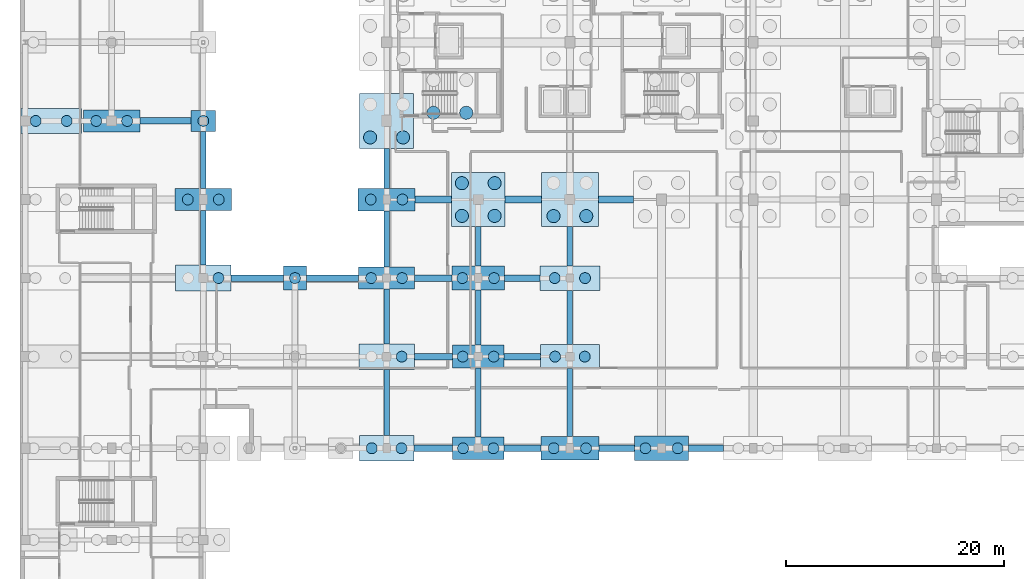
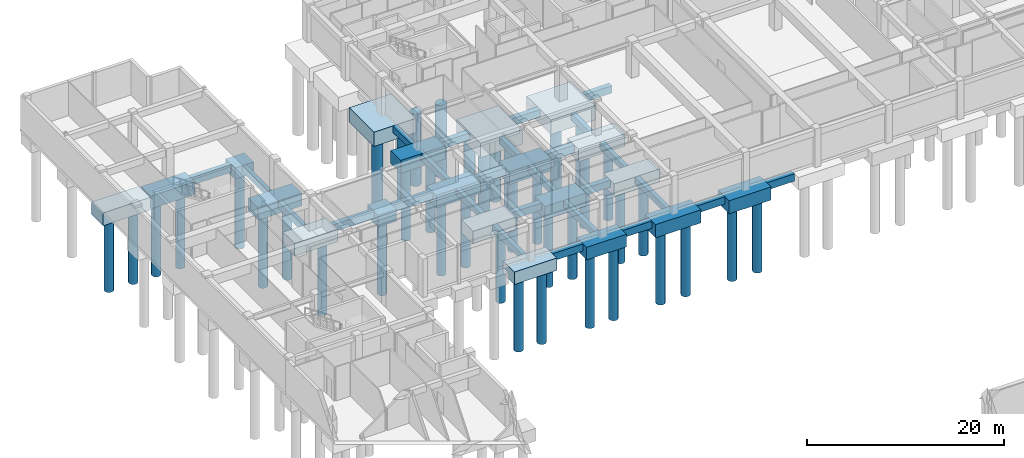
# One storey, part 4 of 42: 46 footings, 40 piles.
"""IFC4 building model written with IfcOpenShell, lengths in metres."""

from ifc_helpers import new_model, si_unit, direction, frame, origin, origin_2d, place, context, subcontext, project, spatial, rectangle, circle, extrude, material, material_profile, profile_set, type_object, element, save


model = new_model("IFC4")

# Units and contexts
model_context = context("Model", 3, precision=1e-05, world=origin(), true_north=direction((0.0, 1.0)))
body_context = subcontext(model_context, "Body", "Model", "MODEL_VIEW")
ifc_project = project(units=[si_unit("LENGTHUNIT", "METRE"), si_unit("AREAUNIT", "SQUARE_METRE"), si_unit("VOLUMEUNIT", "CUBIC_METRE"), si_unit("PLANEANGLEUNIT", "RADIAN"), si_unit("MASSUNIT", "GRAM", prefix="KILO")], contexts=[model_context])

# Site, building, storey
site_placement = place(None, origin())
site = spatial("IfcSite", under=ifc_project, at=site_placement, CompositionType="ELEMENT")
building_placement = place(site_placement, origin())
building = spatial("IfcBuilding", under=site, at=building_placement, Name="Quendrovan Civic Courthouse", CompositionType="ELEMENT")
storey_placement = place(building_placement, frame((0.0, 0.0, -4.5)))
storey = spatial("IfcBuildingStorey", under=building, at=storey_placement, Name="B1", CompositionType="ELEMENT", Elevation=-4.5)

# Footings
ifc_material = material(Name="Concrete C35/45", Category="concrete")
footing_type_1 = type_object("IfcFootingType", Name="FTG-PC1-214x220x149", PredefinedType="PILE_CAP", material=ifc_material)
footing_1_placement = place(storey_placement, frame((25.199951171875, 80.39990234375, -1.7900390625), z_axis=(0.0, 0.0, 1.0), x_axis=(1.0, 0.0, 0.0)))
element("IfcFooting", 1, at=footing_1_placement, inside=storey, type_object=footing_type_1, Name="Pile Cap PC1-04 at 4-L", PredefinedType="PILE_CAP", context=body_context, shape_type="SweptSolid", body=[
    extrude(rectangle(XDim=2.139892578125, YDim=2.199951171875, at=origin_2d()), origin(), (0.0, 0.0, 1.0), 1.489990234375),
])
footing_type_2 = type_object("IfcFootingType", Name="FTG-PC1-222x190x140", PredefinedType="PILE_CAP", material=ifc_material)
footing_2_placement = place(storey_placement, frame((16.800048828125, 94.800048828125, -1.699951171875), z_axis=(0.0, 0.0, 1.0), x_axis=(1.0, 0.0, 0.0)))
element("IfcFooting", 2, at=footing_2_placement, inside=storey, type_object=footing_type_2, Name="Pile Cap PC1-05 at 3-N", PredefinedType="PILE_CAP", context=body_context, shape_type="SweptSolid", body=[
    extrude(rectangle(XDim=2.219970703125, YDim=1.89990234375, at=origin_2d()), origin(), (0.0, 0.0, 1.0), 1.39990234375),
])
footing_type_3 = type_object("IfcFootingType", Name="FTG-PC2-468x206x157", PredefinedType="PILE_CAP", material=ifc_material)
footing_3_placement = place(storey_placement, frame((42.0, 64.800048828125, -1.8701171875), z_axis=(0.0, 0.0, 1.0), x_axis=(1.0, 0.0, 0.0)))
element("IfcFooting", 3, at=footing_3_placement, inside=storey, type_object=footing_type_3, Name="Pile Cap PC2-02 at 6-J", PredefinedType="PILE_CAP", context=body_context, shape_type="SweptSolid", body=[
    extrude(rectangle(XDim=4.679931640625, YDim=2.06005859375, at=origin_2d()), origin(), (0.0, 0.0, 1.0), 1.570068359375),
])
footing_type_4 = type_object("IfcFootingType", Name="FTG-PC2-476x212x159", PredefinedType="PILE_CAP", material=ifc_material)
footing_4_placement = place(storey_placement, frame((42.0, 73.199951171875, -1.89013671875), z_axis=(0.0, 0.0, 1.0), x_axis=(1.0, 0.0, 0.0)))
element("IfcFooting", 4, at=footing_4_placement, inside=storey, type_object=footing_type_4, Name="Pile Cap PC2-03 at 6-K", PredefinedType="PILE_CAP", context=body_context, shape_type="SweptSolid", body=[
    extrude(rectangle(XDim=4.760009765625, YDim=2.1201171875, at=origin_2d()), origin(), (0.0, 0.0, 1.0), 1.590087890625),
])
footing_type_5 = type_object("IfcFootingType", Name="FTG-PC2-484x218x161", PredefinedType="PILE_CAP", material=ifc_material)
footing_5_placement = place(storey_placement, frame((42.0, 80.39990234375, -1.91015625), z_axis=(0.0, 0.0, 1.0), x_axis=(1.0, 0.0, 0.0)))
element("IfcFooting", 5, at=footing_5_placement, inside=storey, type_object=footing_type_5, Name="Pile Cap PC2-04 at 6-L", PredefinedType="PILE_CAP", context=body_context, shape_type="SweptSolid", body=[
    extrude(rectangle(XDim=4.840087890625, YDim=2.179931640625, at=origin_2d()), origin(), (0.0, 0.0, 1.0), 1.610107421875),
])
footing_type_6 = type_object("IfcFootingType", Name="FTG-PC2-492x224x163", PredefinedType="PILE_CAP", material=ifc_material)
footing_6_placement = place(storey_placement, frame((58.800048828125, 64.800048828125, -1.929931640625), z_axis=(0.0, 0.0, 1.0), x_axis=(1.0, 0.0, 0.0)))
element("IfcFooting", 6, at=footing_6_placement, inside=storey, type_object=footing_type_6, Name="Pile Cap PC2-05 at 8-J", PredefinedType="PILE_CAP", context=body_context, shape_type="SweptSolid", body=[
    extrude(rectangle(XDim=4.919921875, YDim=2.239990234375, at=origin_2d()), origin(), (0.0, 0.0, 1.0), 1.6298828125),
])
footing_type_7 = type_object("IfcFootingType", Name="FTG-PC2-500x229x155", PredefinedType="PILE_CAP", material=ifc_material)
footing_7_placement = place(storey_placement, frame((33.60009765625, 64.800048828125, -1.85009765625), z_axis=(0.0, 0.0, 1.0), x_axis=(1.0, 0.0, 0.0)))
element("IfcFooting", 7, at=footing_7_placement, inside=storey, type_object=footing_type_7, Name="Pile Cap PC2-06 at 5-J", PredefinedType="PILE_CAP", context=body_context, shape_type="SweptSolid", body=[
    extrude(rectangle(XDim=5.0, YDim=2.300048828125, at=origin_2d()), origin(), (0.0, 0.0, 1.0), 1.550048828125),
])
footing_type_8 = type_object("IfcFootingType", Name="FTG-PC2-508x236x157", PredefinedType="PILE_CAP", material=ifc_material)
for number, where, z_axis, x_axis, name in (
    (8, (16.800048828125, 80.39990234375, -1.8701171875), (0.0, 0.0, 1.0), (1.0, 0.0, 0.0), "Pile Cap PC2-07 at 3-L"),
    (9, (33.60009765625, 73.199951171875, -1.8701171875), (0.0, 0.0, 1.0), (1.0, 0.0, 0.0), "Pile Cap PC2-07 at 5-K"),
):
    element("IfcFooting", number, at=place(storey_placement, frame(where, z_axis=z_axis, x_axis=x_axis)), inside=storey, type_object=footing_type_8, Name=name, PredefinedType="PILE_CAP", context=body_context, shape_type="SweptSolid", body=[
        extrude(rectangle(XDim=5.080078125, YDim=2.360107421875, at=origin_2d()), origin(), (0.0, 0.0, 1.0), 1.570068359375),
    ])
footing_type_9 = type_object("IfcFootingType", Name="FTG-PC2-516x200x159", PredefinedType="PILE_CAP", material=ifc_material)
for number, where, z_axis, x_axis, name in (
    (10, (8.39990234375, 94.800048828125, -1.89013671875), (0.0, 0.0, 1.0), (1.0, 0.0, 0.0), "Pile Cap PC2-08 at 2-N"),
    (11, (16.800048828125, 87.60009765625, -1.89013671875), (0.0, 0.0, 1.0), (1.0, 0.0, 0.0), "Pile Cap PC2-08 at 3-M"),
    (12, (33.60009765625, 80.39990234375, -1.89013671875), (0.0, 0.0, 1.0), (1.0, 0.0, 0.0), "Pile Cap PC2-08 at 5-L"),
):
    element("IfcFooting", number, at=place(storey_placement, frame(where, z_axis=z_axis, x_axis=x_axis)), inside=storey, type_object=footing_type_9, Name=name, PredefinedType="PILE_CAP", context=body_context, shape_type="SweptSolid", body=[
        extrude(rectangle(XDim=5.159912109375, YDim=2.0, at=origin_2d()), origin(), (0.0, 0.0, 1.0), 1.590087890625),
    ])
footing_type_10 = type_object("IfcFootingType", Name="FTG-PC2-524x206x161", PredefinedType="PILE_CAP", material=ifc_material)
footing_8_placement = place(storey_placement, frame((33.60009765625, 87.60009765625, -1.91015625), z_axis=(0.0, 0.0, 1.0), x_axis=(1.0, 0.0, 0.0)))
element("IfcFooting", 13, at=footing_8_placement, inside=storey, type_object=footing_type_10, Name="Pile Cap PC2-09 at 5-M", PredefinedType="PILE_CAP", context=body_context, shape_type="SweptSolid", body=[
    extrude(rectangle(XDim=5.239990234375, YDim=2.06005859375, at=origin_2d()), origin(), (0.0, 0.0, 1.0), 1.610107421875),
])
footing_type_11 = type_object("IfcFootingType", Name="FTG-PC2-532x212x163", PredefinedType="PILE_CAP", material=ifc_material)
footing_9_placement = place(storey_placement, frame((50.39990234375, 64.800048828125, -1.929931640625), z_axis=(0.0, 0.0, 1.0), x_axis=(1.0, 0.0, 0.0)))
element("IfcFooting", 14, at=footing_9_placement, inside=storey, type_object=footing_type_11, Name="Pile Cap PC2-10 at 7-J", PredefinedType="PILE_CAP", context=body_context, shape_type="SweptSolid", body=[
    extrude(rectangle(XDim=5.320068359375, YDim=2.1201171875, at=origin_2d()), origin(), (0.0, 0.0, 1.0), 1.6298828125),
])
footing_type_12 = type_object("IfcFootingType", Name="FTG-PC2-540x218x155", PredefinedType="PILE_CAP", material=ifc_material)
footing_10_placement = place(storey_placement, frame((50.39990234375, 73.199951171875, -1.85009765625), z_axis=(0.0, 0.0, 1.0), x_axis=(1.0, 0.0, 0.0)))
element("IfcFooting", 15, at=footing_10_placement, inside=storey, type_object=footing_type_12, Name="Pile Cap PC2-11 at 7-K", PredefinedType="PILE_CAP", context=body_context, shape_type="SweptSolid", body=[
    extrude(rectangle(XDim=5.39990234375, YDim=2.179931640625, at=origin_2d()), origin(), (0.0, 0.0, 1.0), 1.550048828125),
])
footing_type_13 = type_object("IfcFootingType", Name="FTG-PC2-548x224x157", PredefinedType="PILE_CAP", material=ifc_material)
footing_11_placement = place(storey_placement, frame((50.39990234375, 80.39990234375, -1.8701171875), z_axis=(0.0, 0.0, 1.0), x_axis=(1.0, 0.0, 0.0)))
element("IfcFooting", 16, at=footing_11_placement, inside=storey, type_object=footing_type_13, Name="Pile Cap PC2-12 at 7-L", PredefinedType="PILE_CAP", context=body_context, shape_type="SweptSolid", body=[
    extrude(rectangle(XDim=5.47998046875, YDim=2.239990234375, at=origin_2d()), origin(), (0.0, 0.0, 1.0), 1.570068359375),
])
footing_type_14 = type_object("IfcFootingType", Name="FTG-PC2-556x229x159", PredefinedType="PILE_CAP", material=ifc_material)
footing_12_placement = place(storey_placement, frame((2.860107421875, 94.800048828125, -1.89013671875), z_axis=(0.0, 0.0, 1.0), x_axis=(1.0, 0.0, 0.0)))
element("IfcFooting", 17, at=footing_12_placement, inside=storey, type_object=footing_type_14, Name="Pile Cap PC2-13 at 1-N", PredefinedType="PILE_CAP", context=body_context, shape_type="SweptSolid", body=[
    extrude(rectangle(XDim=5.56005859375, YDim=2.300048828125, at=origin_2d()), origin(), (0.0, 0.0, 1.0), 1.590087890625),
])
footing_type_15 = type_object("IfcFootingType", Name="FTG-PC4-492x492x180", PredefinedType="PILE_CAP", material=ifc_material)
footing_13_placement = place(storey_placement, frame((42.0, 87.60009765625, -2.10009765625), z_axis=(0.0, 0.0, 1.0), x_axis=(1.0, 0.0, 0.0)))
element("IfcFooting", 18, at=footing_13_placement, inside=storey, type_object=footing_type_15, Name="Pile Cap PC4-01 at 6-M", PredefinedType="PILE_CAP", context=body_context, shape_type="SweptSolid", body=[
    extrude(rectangle(XDim=4.919921875, YDim=4.919921875, at=origin_2d()), origin(), (0.0, 0.0, 1.0), 1.800048828125),
])
footing_type_16 = type_object("IfcFootingType", Name="FTG-PC4-496x504x178", PredefinedType="PILE_CAP", material=ifc_material)
footing_14_placement = place(storey_placement, frame((33.60009765625, 94.800048828125, -2.080078125), z_axis=(0.0, 0.0, 1.0), x_axis=(1.0, 0.0, 0.0)))
element("IfcFooting", 19, at=footing_14_placement, inside=storey, type_object=footing_type_16, Name="Pile Cap PC4-02 at 5-N", PredefinedType="PILE_CAP", context=body_context, shape_type="SweptSolid", body=[
    extrude(rectangle(XDim=4.9599609375, YDim=5.0400390625, at=origin_2d()), origin(), (0.0, 0.0, 1.0), 1.780029296875),
])
footing_type_17 = type_object("IfcFootingType", Name="FTG-PC4-524x492x180", PredefinedType="PILE_CAP", material=ifc_material)
footing_15_placement = place(storey_placement, frame((50.39990234375, 87.60009765625, -2.10009765625), z_axis=(0.0, 0.0, 1.0), x_axis=(1.0, 0.0, 0.0)))
element("IfcFooting", 20, at=footing_15_placement, inside=storey, type_object=footing_type_17, Name="Pile Cap PC4-09 at 7-M", PredefinedType="PILE_CAP", context=body_context, shape_type="SweptSolid", body=[
    extrude(rectangle(XDim=5.239990234375, YDim=4.919921875, at=origin_2d()), origin(), (0.0, 0.0, 1.0), 1.800048828125),
])
footing_type_18 = type_object("IfcFootingType", Name="FTG-TBX-3200", PredefinedType="FOOTING_BEAM", material=ifc_material)
footing_16_placement = place(storey_placement, frame((54.699951171875, 64.800048828125, -1.199951171875), z_axis=(0.0, 0.0, 1.0), x_axis=(1.0, 0.0, 0.0)))
element("IfcFooting", 21, at=footing_16_placement, inside=storey, type_object=footing_type_18, Name="Seismic Tie Beam TB-X-034", PredefinedType="FOOTING_BEAM", context=body_context, shape_type="SweptSolid", body=[
    extrude(rectangle(XDim=3.280029296875, YDim=0.60009765625, at=origin_2d()), origin(), (0.0, 0.0, 1.0), 0.89990234375),
])
for number, where, z_axis, x_axis, name in (
    (22, (62.8798828125, 64.800048828125, -1.199951171875), (0.0, 0.0, 1.0), (1.0, 0.0, 0.0), "Seismic Tie Beam TB-X-035"),
    (23, (46.0400390625, 80.39990234375, -1.199951171875), (0.0, 0.0, 1.0), (1.0, 0.0, 0.0), "Seismic Tie Beam TB-X-054"),
):
    element("IfcFooting", number, at=place(storey_placement, frame(where, z_axis=z_axis, x_axis=x_axis)), inside=storey, type_object=footing_type_18, Name=name, PredefinedType="FOOTING_BEAM", context=body_context, shape_type="SweptSolid", body=[
        extrude(rectangle(XDim=3.239990234375, YDim=0.60009765625, at=origin_2d()), origin(), (0.0, 0.0, 1.0), 0.89990234375),
    ])
footing_17_placement = place(storey_placement, frame((54.6298828125, 87.60009765625, -1.199951171875), z_axis=(0.0, 0.0, 1.0), x_axis=(1.0, 0.0, 0.0)))
element("IfcFooting", 24, at=footing_17_placement, inside=storey, type_object=footing_type_18, Name="Seismic Tie Beam TB-X-061", PredefinedType="FOOTING_BEAM", context=body_context, shape_type="SweptSolid", body=[
    extrude(rectangle(XDim=3.219970703125, YDim=0.60009765625, at=origin_2d()), origin(), (0.0, 0.0, 1.0), 0.89990234375),
])
footing_type_19 = type_object("IfcFootingType", Name="FTG-TBX-3400", PredefinedType="FOOTING_BEAM", material=ifc_material)
footing_18_placement = place(storey_placement, frame((46.0400390625, 64.800048828125, -1.199951171875), z_axis=(0.0, 0.0, 1.0), x_axis=(1.0, 0.0, 0.0)))
element("IfcFooting", 25, at=footing_18_placement, inside=storey, type_object=footing_type_19, Name="Seismic Tie Beam TB-X-033", PredefinedType="FOOTING_BEAM", context=body_context, shape_type="SweptSolid", body=[
    extrude(rectangle(XDim=3.39990234375, YDim=0.60009765625, at=origin_2d()), origin(), (0.0, 0.0, 1.0), 0.89990234375),
])
footing_19_placement = place(storey_placement, frame((37.8798828125, 73.199951171875, -1.199951171875), z_axis=(0.0, 0.0, 1.0), x_axis=(1.0, 0.0, 0.0)))
element("IfcFooting", 26, at=footing_19_placement, inside=storey, type_object=footing_type_19, Name="Seismic Tie Beam TB-X-045", PredefinedType="FOOTING_BEAM", context=body_context, shape_type="SweptSolid", body=[
    extrude(rectangle(XDim=3.47998046875, YDim=0.60009765625, at=origin_2d()), origin(), (0.0, 0.0, 1.0), 0.89990234375),
])
footing_20_placement = place(storey_placement, frame((46.0400390625, 73.199951171875, -1.199951171875), z_axis=(0.0, 0.0, 1.0), x_axis=(1.0, 0.0, 0.0)))
element("IfcFooting", 27, at=footing_20_placement, inside=storey, type_object=footing_type_19, Name="Seismic Tie Beam TB-X-046", PredefinedType="FOOTING_BEAM", context=body_context, shape_type="SweptSolid", body=[
    extrude(rectangle(XDim=3.320068359375, YDim=0.60009765625, at=origin_2d()), origin(), (0.0, 0.0, 1.0), 0.89990234375),
])
footing_21_placement = place(storey_placement, frame((37.8798828125, 80.39990234375, -1.199951171875), z_axis=(0.0, 0.0, 1.0), x_axis=(1.0, 0.0, 0.0)))
element("IfcFooting", 28, at=footing_21_placement, inside=storey, type_object=footing_type_19, Name="Seismic Tie Beam TB-X-053", PredefinedType="FOOTING_BEAM", context=body_context, shape_type="SweptSolid", body=[
    extrude(rectangle(XDim=3.39990234375, YDim=0.60009765625, at=origin_2d()), origin(), (0.0, 0.0, 1.0), 0.89990234375),
])
for number, where, z_axis, x_axis, name in (
    (29, (37.8798828125, 87.60009765625, -1.199951171875), (0.0, 0.0, 1.0), (1.0, 0.0, 0.0), "Seismic Tie Beam TB-X-059"),
    (30, (46.1201171875, 87.60009765625, -1.199951171875), (0.0, 0.0, 1.0), (1.0, 0.0, 0.0), "Seismic Tie Beam TB-X-060"),
):
    element("IfcFooting", number, at=place(storey_placement, frame(where, z_axis=z_axis, x_axis=x_axis)), inside=storey, type_object=footing_type_19, Name=name, PredefinedType="FOOTING_BEAM", context=body_context, shape_type="SweptSolid", body=[
        extrude(rectangle(XDim=3.320068359375, YDim=0.60009765625, at=origin_2d()), origin(), (0.0, 0.0, 1.0), 0.89990234375),
    ])
footing_type_20 = type_object("IfcFootingType", Name="FTG-TBX-3600", PredefinedType="FOOTING_BEAM", material=ifc_material)
footing_22_placement = place(storey_placement, frame((37.8798828125, 64.800048828125, -1.199951171875), z_axis=(0.0, 0.0, 1.0), x_axis=(1.0, 0.0, 0.0)))
element("IfcFooting", 31, at=footing_22_placement, inside=storey, type_object=footing_type_20, Name="Seismic Tie Beam TB-X-032", PredefinedType="FOOTING_BEAM", context=body_context, shape_type="SweptSolid", body=[
    extrude(rectangle(XDim=3.56005859375, YDim=0.60009765625, at=origin_2d()), origin(), (0.0, 0.0, 1.0), 0.89990234375),
])
footing_type_21 = type_object("IfcFootingType", Name="FTG-TBX-4800", PredefinedType="FOOTING_BEAM", material=ifc_material)
footing_23_placement = place(storey_placement, frame((21.735107421875, 80.39990234375, -1.199951171875), z_axis=(0.0, 0.0, 1.0), x_axis=(1.0, 0.0, 0.0)))
element("IfcFooting", 32, at=footing_23_placement, inside=storey, type_object=footing_type_21, Name="Seismic Tie Beam TB-X-051", PredefinedType="FOOTING_BEAM", context=body_context, shape_type="SweptSolid", body=[
    extrude(rectangle(XDim=4.7900390625, YDim=0.60009765625, at=origin_2d()), origin(), (0.0, 0.0, 1.0), 0.89990234375),
])
footing_24_placement = place(storey_placement, frame((28.64501953125, 80.39990234375, -1.199951171875), z_axis=(0.0, 0.0, 1.0), x_axis=(1.0, 0.0, 0.0)))
element("IfcFooting", 33, at=footing_24_placement, inside=storey, type_object=footing_type_21, Name="Seismic Tie Beam TB-X-052", PredefinedType="FOOTING_BEAM", context=body_context, shape_type="SweptSolid", body=[
    extrude(rectangle(XDim=4.75, YDim=0.60009765625, at=origin_2d()), origin(), (0.0, 0.0, 1.0), 0.89990234375),
])
footing_25_placement = place(storey_placement, frame((13.3349609375, 94.800048828125, -1.199951171875), z_axis=(0.0, 0.0, 1.0), x_axis=(1.0, 0.0, 0.0)))
element("IfcFooting", 34, at=footing_25_placement, inside=storey, type_object=footing_type_21, Name="Seismic Tie Beam TB-X-074", PredefinedType="FOOTING_BEAM", context=body_context, shape_type="SweptSolid", body=[
    extrude(rectangle(XDim=4.7099609375, YDim=0.60009765625, at=origin_2d()), origin(), (0.0, 0.0, 1.0), 0.89990234375),
])
footing_type_22 = type_object("IfcFootingType", Name="FTG-TBY-3600", PredefinedType="FOOTING_BEAM", material=ifc_material)
for number, where, z_axis, x_axis, name in (
    (35, (33.60009765625, 90.455078125, -1.10009765625), (0.0, 0.0, 1.0), (1.0, 0.0, 0.0), "Seismic Tie Beam TB-Y-118"),
    (36, (42.0, 83.31494140625, -1.10009765625), (0.0, 0.0, 1.0), (1.0, 0.0, 0.0), "Seismic Tie Beam TB-Y-124"),
):
    element("IfcFooting", number, at=place(storey_placement, frame(where, z_axis=z_axis, x_axis=x_axis)), inside=storey, type_object=footing_type_22, Name=name, PredefinedType="FOOTING_BEAM", context=body_context, shape_type="SweptSolid", body=[
        extrude(rectangle(XDim=0.5, YDim=3.64990234375, at=origin_2d()), origin(), (0.0, 0.0, 1.0), 0.800048828125),
    ])
footing_26_placement = place(storey_placement, frame((50.39990234375, 83.330078125, -1.10009765625), z_axis=(0.0, 0.0, 1.0), x_axis=(1.0, 0.0, 0.0)))
element("IfcFooting", 37, at=footing_26_placement, inside=storey, type_object=footing_type_22, Name="Seismic Tie Beam TB-Y-129", PredefinedType="FOOTING_BEAM", context=body_context, shape_type="SweptSolid", body=[
    extrude(rectangle(XDim=0.5, YDim=3.6201171875, at=origin_2d()), origin(), (0.0, 0.0, 1.0), 0.800048828125),
])
footing_type_23 = type_object("IfcFootingType", Name="FTG-TBY-5000", PredefinedType="FOOTING_BEAM", material=ifc_material)
for number, where, z_axis, x_axis, name in (
    (38, (16.800048828125, 84.090087890625, -1.10009765625), (0.0, 0.0, 1.0), (1.0, 0.0, 0.0), "Seismic Tie Beam TB-Y-106"),
    (39, (33.60009765625, 76.889892578125, -1.10009765625), (0.0, 0.0, 1.0), (1.0, 0.0, 0.0), "Seismic Tie Beam TB-Y-116"),
):
    element("IfcFooting", number, at=place(storey_placement, frame(where, z_axis=z_axis, x_axis=x_axis)), inside=storey, type_object=footing_type_23, Name=name, PredefinedType="FOOTING_BEAM", context=body_context, shape_type="SweptSolid", body=[
        extrude(rectangle(XDim=0.5, YDim=5.02001953125, at=origin_2d()), origin(), (0.0, 0.0, 1.0), 0.800048828125),
    ])
footing_27_placement = place(storey_placement, frame((42.0, 76.784912109375, -1.10009765625), z_axis=(0.0, 0.0, 1.0), x_axis=(1.0, 0.0, 0.0)))
element("IfcFooting", 40, at=footing_27_placement, inside=storey, type_object=footing_type_23, Name="Seismic Tie Beam TB-Y-123", PredefinedType="FOOTING_BEAM", context=body_context, shape_type="SweptSolid", body=[
    extrude(rectangle(XDim=0.5, YDim=5.050048828125, at=origin_2d()), origin(), (0.0, 0.0, 1.0), 0.800048828125),
])
footing_28_placement = place(storey_placement, frame((50.39990234375, 76.784912109375, -1.10009765625), z_axis=(0.0, 0.0, 1.0), x_axis=(1.0, 0.0, 0.0)))
element("IfcFooting", 41, at=footing_28_placement, inside=storey, type_object=footing_type_23, Name="Seismic Tie Beam TB-Y-128", PredefinedType="FOOTING_BEAM", context=body_context, shape_type="SweptSolid", body=[
    extrude(rectangle(XDim=0.5, YDim=4.989990234375, at=origin_2d()), origin(), (0.0, 0.0, 1.0), 0.800048828125),
])
footing_type_24 = type_object("IfcFootingType", Name="FTG-TBY-5200", PredefinedType="FOOTING_BEAM", material=ifc_material)
footing_29_placement = place(storey_placement, frame((16.800048828125, 91.22509765625, -1.10009765625), z_axis=(0.0, 0.0, 1.0), x_axis=(1.0, 0.0, 0.0)))
element("IfcFooting", 42, at=footing_29_placement, inside=storey, type_object=footing_type_24, Name="Seismic Tie Beam TB-Y-107", PredefinedType="FOOTING_BEAM", context=body_context, shape_type="SweptSolid", body=[
    extrude(rectangle(XDim=0.5, YDim=5.25, at=origin_2d()), origin(), (0.0, 0.0, 1.0), 0.800048828125),
])
footing_30_placement = place(storey_placement, frame((33.60009765625, 83.985107421875, -1.10009765625), z_axis=(0.0, 0.0, 1.0), x_axis=(1.0, 0.0, 0.0)))
element("IfcFooting", 43, at=footing_30_placement, inside=storey, type_object=footing_type_24, Name="Seismic Tie Beam TB-Y-117", PredefinedType="FOOTING_BEAM", context=body_context, shape_type="SweptSolid", body=[
    extrude(rectangle(XDim=0.5, YDim=5.169921875, at=origin_2d()), origin(), (0.0, 0.0, 1.0), 0.800048828125),
])
footing_type_25 = type_object("IfcFootingType", Name="FTG-TBY-6000", PredefinedType="FOOTING_BEAM", material=ifc_material)
footing_31_placement = place(storey_placement, frame((33.60009765625, 68.985107421875, -1.10009765625), z_axis=(0.0, 0.0, 1.0), x_axis=(1.0, 0.0, 0.0)))
element("IfcFooting", 44, at=footing_31_placement, inside=storey, type_object=footing_type_25, Name="Seismic Tie Beam TB-Y-115", PredefinedType="FOOTING_BEAM", context=body_context, shape_type="SweptSolid", body=[
    extrude(rectangle(XDim=0.5, YDim=6.070068359375, at=origin_2d()), origin(), (0.0, 0.0, 1.0), 0.800048828125),
])
footing_type_26 = type_object("IfcFootingType", Name="FTG-TBY-6200", PredefinedType="FOOTING_BEAM", material=ifc_material)
footing_32_placement = place(storey_placement, frame((50.39990234375, 68.985107421875, -1.10009765625), z_axis=(0.0, 0.0, 1.0), x_axis=(1.0, 0.0, 0.0)))
element("IfcFooting", 45, at=footing_32_placement, inside=storey, type_object=footing_type_26, Name="Seismic Tie Beam TB-Y-127", PredefinedType="FOOTING_BEAM", context=body_context, shape_type="SweptSolid", body=[
    extrude(rectangle(XDim=0.5, YDim=6.25, at=origin_2d()), origin(), (0.0, 0.0, 1.0), 0.800048828125),
])
footing_type_27 = type_object("IfcFootingType", Name="FTG-TBY-6400", PredefinedType="FOOTING_BEAM", material=ifc_material)
footing_33_placement = place(storey_placement, frame((42.0, 68.985107421875, -1.10009765625), z_axis=(0.0, 0.0, 1.0), x_axis=(1.0, 0.0, 0.0)))
element("IfcFooting", 46, at=footing_33_placement, inside=storey, type_object=footing_type_27, Name="Seismic Tie Beam TB-Y-122", PredefinedType="FOOTING_BEAM", context=body_context, shape_type="SweptSolid", body=[
    extrude(rectangle(XDim=0.5, YDim=6.31005859375, at=origin_2d()), origin(), (0.0, 0.0, 1.0), 0.800048828125),
])

# Piles
ifc_material_profile_1 = material_profile(ifc_material, circle(Radius=0.5, at=origin_2d()), Name="PILE-D1000")
ifc_profile_set_1 = profile_set([ifc_material_profile_1], Name="Concrete C35/45")
pile_type_1 = type_object("IfcPileType", Name="PILE-B1000", PredefinedType="BORED", material=ifc_profile_set_1)
for number, where, z_axis, x_axis, name in (
    (47, (1.43994140625, 94.800048828125, -1.7900390625), (0.0, 0.0, -1.0), (1.0, 0.0, 0.0), "Bored Pile PILE-1-N-1"),
    (48, (4.280029296875, 94.800048828125, -1.7900390625), (0.0, 0.0, -1.0), (1.0, 0.0, 0.0), "Bored Pile PILE-1-N-2"),
    (49, (6.97998046875, 94.800048828125, -1.7900390625), (0.0, 0.0, -1.0), (1.0, 0.0, 0.0), "Bored Pile PILE-2-N-1"),
    (50, (9.820068359375, 94.800048828125, -1.7900390625), (0.0, 0.0, -1.0), (1.0, 0.0, 0.0), "Bored Pile PILE-2-N-2"),
):
    element("IfcPile", number, at=place(storey_placement, frame(where, z_axis=z_axis, x_axis=x_axis)), inside=storey, type_object=pile_type_1, Name=name, PredefinedType="BORED", context=body_context, shape_type="SweptSolid", body=[
        extrude(circle(Radius=0.5, at=origin_2d()), origin(), (0.0, 0.0, 1.0), 9.2099609375),
    ])
pile_1_placement = place(storey_placement, frame((18.18994140625, 80.39990234375, -1.77001953125), z_axis=(0.0, 0.0, -1.0), x_axis=(1.0, 0.0, 0.0)))
element("IfcPile", 51, at=pile_1_placement, inside=storey, type_object=pile_type_1, Name="Bored Pile PILE-3-L-2", PredefinedType="BORED", context=body_context, shape_type="SweptSolid", body=[
    extrude(circle(Radius=0.5, at=origin_2d()), origin(), (0.0, 0.0, 1.0), 9.22998046875),
])
for number, where, z_axis, x_axis, name in (
    (52, (15.3798828125, 87.60009765625, -1.7900390625), (0.0, 0.0, -1.0), (1.0, 0.0, 0.0), "Bored Pile PILE-3-M-1"),
    (53, (18.219970703125, 87.60009765625, -1.7900390625), (0.0, 0.0, -1.0), (1.0, 0.0, 0.0), "Bored Pile PILE-3-M-2"),
):
    element("IfcPile", number, at=place(storey_placement, frame(where, z_axis=z_axis, x_axis=x_axis)), inside=storey, type_object=pile_type_1, Name=name, PredefinedType="BORED", context=body_context, shape_type="SweptSolid", body=[
        extrude(circle(Radius=0.5, at=origin_2d()), origin(), (0.0, 0.0, 1.0), 9.2099609375),
    ])
pile_2_placement = place(storey_placement, frame((16.800048828125, 94.800048828125, -1.60009765625), z_axis=(0.0, 0.0, -1.0), x_axis=(1.0, 0.0, 0.0)))
element("IfcPile", 54, at=pile_2_placement, inside=storey, type_object=pile_type_1, Name="Bored Pile PILE-3-N-1", PredefinedType="BORED", context=body_context, shape_type="SweptSolid", body=[
    extrude(circle(Radius=0.5, at=origin_2d()), origin(), (0.0, 0.0, 1.0), 9.39990234375),
])
pile_3_placement = place(storey_placement, frame((25.199951171875, 80.39990234375, -1.68994140625), z_axis=(0.0, 0.0, -1.0), x_axis=(1.0, 0.0, 0.0)))
element("IfcPile", 55, at=pile_3_placement, inside=storey, type_object=pile_type_1, Name="Bored Pile PILE-4-L-1", PredefinedType="BORED", context=body_context, shape_type="SweptSolid", body=[
    extrude(circle(Radius=0.5, at=origin_2d()), origin(), (0.0, 0.0, 1.0), 9.31005859375),
])
for number, where, z_axis, x_axis, name in (
    (56, (32.239990234375, 64.800048828125, -1.75), (0.0, 0.0, -1.0), (1.0, 0.0, 0.0), "Bored Pile PILE-5-J-1"),
    (57, (34.9599609375, 64.800048828125, -1.75), (0.0, 0.0, -1.0), (1.0, 0.0, 0.0), "Bored Pile PILE-5-J-2"),
):
    element("IfcPile", number, at=place(storey_placement, frame(where, z_axis=z_axis, x_axis=x_axis)), inside=storey, type_object=pile_type_1, Name=name, PredefinedType="BORED", context=body_context, shape_type="SweptSolid", body=[
        extrude(circle(Radius=0.5, at=origin_2d()), origin(), (0.0, 0.0, 1.0), 9.25),
    ])
pile_4_placement = place(storey_placement, frame((34.989990234375, 73.199951171875, -1.77001953125), z_axis=(0.0, 0.0, -1.0), x_axis=(1.0, 0.0, 0.0)))
element("IfcPile", 58, at=pile_4_placement, inside=storey, type_object=pile_type_1, Name="Bored Pile PILE-5-K-2", PredefinedType="BORED", context=body_context, shape_type="SweptSolid", body=[
    extrude(circle(Radius=0.5, at=origin_2d()), origin(), (0.0, 0.0, 1.0), 9.22998046875),
])
for number, where, z_axis, x_axis, name in (
    (59, (32.179931640625, 80.39990234375, -1.7900390625), (0.0, 0.0, -1.0), (1.0, 0.0, 0.0), "Bored Pile PILE-5-L-1"),
    (60, (35.02001953125, 80.39990234375, -1.7900390625), (0.0, 0.0, -1.0), (1.0, 0.0, 0.0), "Bored Pile PILE-5-L-2"),
):
    element("IfcPile", number, at=place(storey_placement, frame(where, z_axis=z_axis, x_axis=x_axis)), inside=storey, type_object=pile_type_1, Name=name, PredefinedType="BORED", context=body_context, shape_type="SweptSolid", body=[
        extrude(circle(Radius=0.5, at=origin_2d()), origin(), (0.0, 0.0, 1.0), 9.2099609375),
    ])
for number, where, z_axis, x_axis, name in (
    (61, (32.14990234375, 87.60009765625, -1.81005859375), (0.0, 0.0, -1.0), (1.0, 0.0, 0.0), "Bored Pile PILE-5-M-1"),
    (62, (35.050048828125, 87.60009765625, -1.81005859375), (0.0, 0.0, -1.0), (1.0, 0.0, 0.0), "Bored Pile PILE-5-M-2"),
):
    element("IfcPile", number, at=place(storey_placement, frame(where, z_axis=z_axis, x_axis=x_axis)), inside=storey, type_object=pile_type_1, Name=name, PredefinedType="BORED", context=body_context, shape_type="SweptSolid", body=[
        extrude(circle(Radius=0.5, at=origin_2d()), origin(), (0.0, 0.0, 1.0), 9.18994140625),
    ])
for number, where, z_axis, x_axis, name in (
    (63, (40.610107421875, 64.800048828125, -1.77001953125), (0.0, 0.0, -1.0), (1.0, 0.0, 0.0), "Bored Pile PILE-6-J-1"),
    (64, (43.389892578125, 64.800048828125, -1.77001953125), (0.0, 0.0, -1.0), (1.0, 0.0, 0.0), "Bored Pile PILE-6-J-2"),
):
    element("IfcPile", number, at=place(storey_placement, frame(where, z_axis=z_axis, x_axis=x_axis)), inside=storey, type_object=pile_type_1, Name=name, PredefinedType="BORED", context=body_context, shape_type="SweptSolid", body=[
        extrude(circle(Radius=0.5, at=origin_2d()), origin(), (0.0, 0.0, 1.0), 9.22998046875),
    ])
for number, where, z_axis, x_axis, name in (
    (65, (40.580078125, 73.199951171875, -1.7900390625), (0.0, 0.0, -1.0), (1.0, 0.0, 0.0), "Bored Pile PILE-6-K-1"),
    (66, (43.419921875, 73.199951171875, -1.7900390625), (0.0, 0.0, -1.0), (1.0, 0.0, 0.0), "Bored Pile PILE-6-K-2"),
):
    element("IfcPile", number, at=place(storey_placement, frame(where, z_axis=z_axis, x_axis=x_axis)), inside=storey, type_object=pile_type_1, Name=name, PredefinedType="BORED", context=body_context, shape_type="SweptSolid", body=[
        extrude(circle(Radius=0.5, at=origin_2d()), origin(), (0.0, 0.0, 1.0), 9.2099609375),
    ])
for number, where, z_axis, x_axis, name in (
    (67, (40.550048828125, 80.39990234375, -1.81005859375), (0.0, 0.0, -1.0), (1.0, 0.0, 0.0), "Bored Pile PILE-6-L-1"),
    (68, (43.449951171875, 80.39990234375, -1.81005859375), (0.0, 0.0, -1.0), (1.0, 0.0, 0.0), "Bored Pile PILE-6-L-2"),
):
    element("IfcPile", number, at=place(storey_placement, frame(where, z_axis=z_axis, x_axis=x_axis)), inside=storey, type_object=pile_type_1, Name=name, PredefinedType="BORED", context=body_context, shape_type="SweptSolid", body=[
        extrude(circle(Radius=0.5, at=origin_2d()), origin(), (0.0, 0.0, 1.0), 9.18994140625),
    ])
for number, where, z_axis, x_axis, name in (
    (69, (48.919921875, 64.800048828125, -1.830078125), (0.0, 0.0, -1.0), (1.0, 0.0, 0.0), "Bored Pile PILE-7-J-1"),
    (70, (51.8798828125, 64.800048828125, -1.830078125), (0.0, 0.0, -1.0), (1.0, 0.0, 0.0), "Bored Pile PILE-7-J-2"),
):
    element("IfcPile", number, at=place(storey_placement, frame(where, z_axis=z_axis, x_axis=x_axis)), inside=storey, type_object=pile_type_1, Name=name, PredefinedType="BORED", context=body_context, shape_type="SweptSolid", body=[
        extrude(circle(Radius=0.5, at=origin_2d()), origin(), (0.0, 0.0, 1.0), 9.169921875),
    ])
for number, where, z_axis, x_axis, name in (
    (71, (49.0400390625, 73.199951171875, -1.75), (0.0, 0.0, -1.0), (1.0, 0.0, 0.0), "Bored Pile PILE-7-K-1"),
    (72, (51.760009765625, 73.199951171875, -1.75), (0.0, 0.0, -1.0), (1.0, 0.0, 0.0), "Bored Pile PILE-7-K-2"),
):
    element("IfcPile", number, at=place(storey_placement, frame(where, z_axis=z_axis, x_axis=x_axis)), inside=storey, type_object=pile_type_1, Name=name, PredefinedType="BORED", context=body_context, shape_type="SweptSolid", body=[
        extrude(circle(Radius=0.5, at=origin_2d()), origin(), (0.0, 0.0, 1.0), 9.25),
    ])
for number, where, z_axis, x_axis, name in (
    (73, (49.010009765625, 80.39990234375, -1.77001953125), (0.0, 0.0, -1.0), (1.0, 0.0, 0.0), "Bored Pile PILE-7-L-1"),
    (74, (51.7900390625, 80.39990234375, -1.77001953125), (0.0, 0.0, -1.0), (1.0, 0.0, 0.0), "Bored Pile PILE-7-L-2"),
):
    element("IfcPile", number, at=place(storey_placement, frame(where, z_axis=z_axis, x_axis=x_axis)), inside=storey, type_object=pile_type_1, Name=name, PredefinedType="BORED", context=body_context, shape_type="SweptSolid", body=[
        extrude(circle(Radius=0.5, at=origin_2d()), origin(), (0.0, 0.0, 1.0), 9.22998046875),
    ])
for number, where, z_axis, x_axis, name in (
    (75, (57.320068359375, 64.800048828125, -1.830078125), (0.0, 0.0, -1.0), (1.0, 0.0, 0.0), "Bored Pile PILE-8-J-1"),
    (76, (60.280029296875, 64.800048828125, -1.830078125), (0.0, 0.0, -1.0), (1.0, 0.0, 0.0), "Bored Pile PILE-8-J-2"),
):
    element("IfcPile", number, at=place(storey_placement, frame(where, z_axis=z_axis, x_axis=x_axis)), inside=storey, type_object=pile_type_1, Name=name, PredefinedType="BORED", context=body_context, shape_type="SweptSolid", body=[
        extrude(circle(Radius=0.5, at=origin_2d()), origin(), (0.0, 0.0, 1.0), 9.169921875),
    ])
ifc_material_profile_2 = material_profile(ifc_material, circle(Radius=0.60009765625, at=origin_2d()), Name="PILE-D1200")
ifc_profile_set_2 = profile_set([ifc_material_profile_2], Name="Concrete C35/45")
pile_type_2 = type_object("IfcPileType", Name="PILE-B1200", PredefinedType="BORED", material=ifc_profile_set_2)
for number, where, z_axis, x_axis, name in (
    (77, (32.090087890625, 93.2900390625, -1.97998046875), (0.0, 0.0, -1.0), (1.0, 0.0, 0.0), "Bored Pile PILE-5-N-1"),
    (78, (35.110107421875, 93.2900390625, -1.97998046875), (0.0, 0.0, -1.0), (1.0, 0.0, 0.0), "Bored Pile PILE-5-N-2"),
):
    element("IfcPile", number, at=place(storey_placement, frame(where, z_axis=z_axis, x_axis=x_axis)), inside=storey, type_object=pile_type_2, Name=name, PredefinedType="BORED", context=body_context, shape_type="SweptSolid", body=[
        extrude(circle(Radius=0.60009765625, at=origin_2d()), origin(), (0.0, 0.0, 1.0), 9.02001953125),
    ])
for number, where, z_axis, x_axis, name in (
    (79, (40.5, 86.10009765625, -2.0), (0.0, 0.0, -1.0), (1.0, 0.0, 0.0), "Bored Pile PILE-6-M-1"),
    (80, (43.5, 86.10009765625, -2.0), (0.0, 0.0, -1.0), (1.0, 0.0, 0.0), "Bored Pile PILE-6-M-2"),
    (81, (40.5, 89.10009765625, -2.0), (0.0, 0.0, -1.0), (1.0, 0.0, 0.0), "Bored Pile PILE-6-M-3"),
    (82, (43.5, 89.10009765625, -2.0), (0.0, 0.0, -1.0), (1.0, 0.0, 0.0), "Bored Pile PILE-6-M-4"),
    (83, (48.89990234375, 86.080078125, -2.0), (0.0, 0.0, -1.0), (1.0, 0.0, 0.0), "Bored Pile PILE-7-M-1"),
    (84, (51.89990234375, 86.080078125, -2.0), (0.0, 0.0, -1.0), (1.0, 0.0, 0.0), "Bored Pile PILE-7-M-2"),
    (85, (37.89990234375, 95.550048828125, -2.0), (0.0, 0.0, -1.0), (1.0, 0.0, 0.0), "Core Bored Pile C1-1"),
    (86, (40.89990234375, 95.550048828125, -2.0), (0.0, 0.0, -1.0), (1.0, 0.0, 0.0), "Core Bored Pile C1-2"),
):
    element("IfcPile", number, at=place(storey_placement, frame(where, z_axis=z_axis, x_axis=x_axis)), inside=storey, type_object=pile_type_2, Name=name, PredefinedType="BORED", context=body_context, shape_type="SweptSolid", body=[
        extrude(circle(Radius=0.60009765625, at=origin_2d()), origin(), (0.0, 0.0, 1.0), 9.0),
    ])

save(model, "model.ifc")
